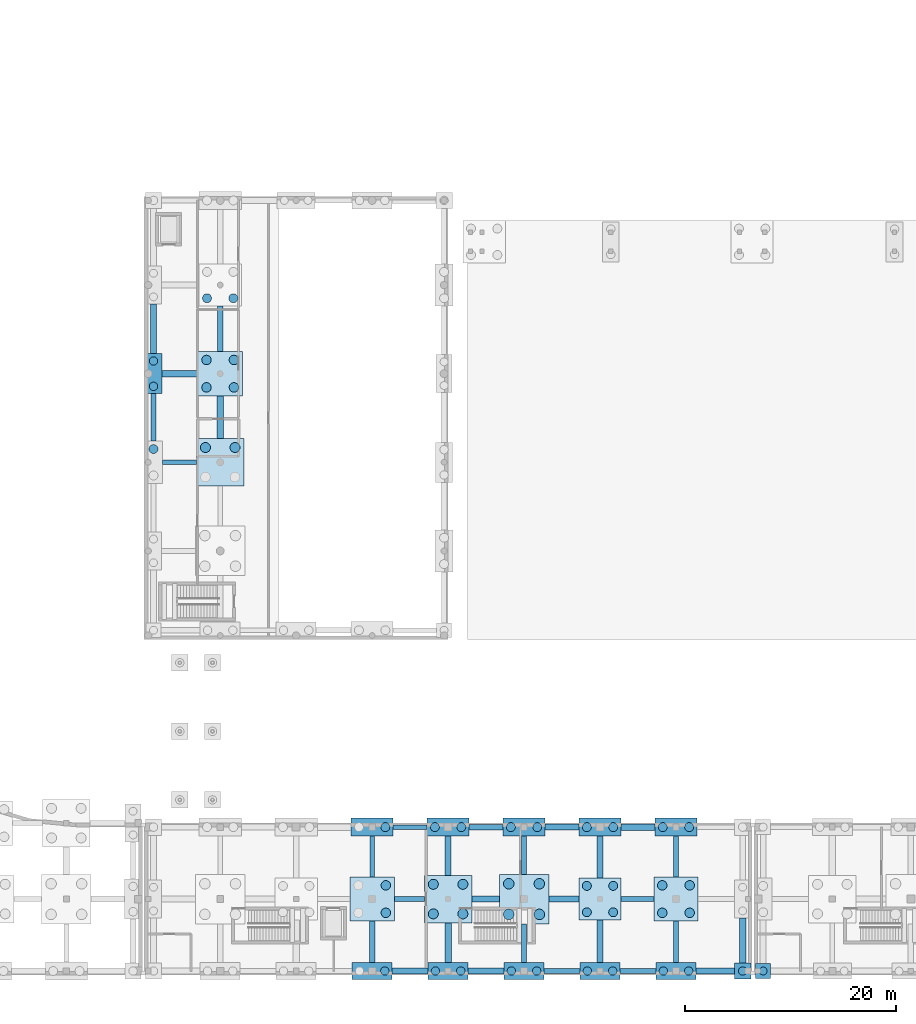
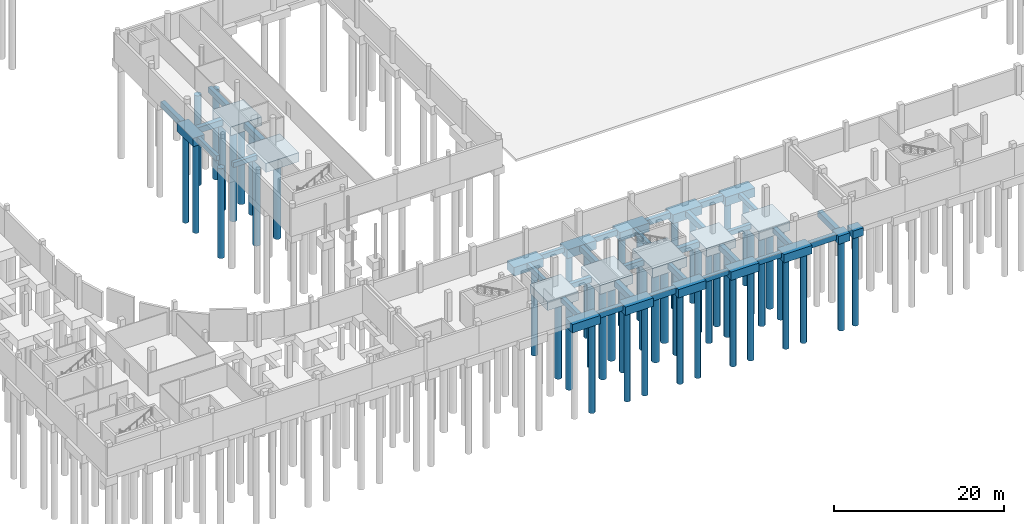
# One storey, part 4 of 41: 50 footings, 49 piles.
"""IFC4 building model written with IfcOpenShell, lengths in metres."""

import ifcopenshell
import ifcopenshell.guid

model = None  # the IFC model being written
_history = None  # IfcOwnerHistory: only IFC2X3 demands one
_inside = {}  # id of a spatial element -> (the spatial element, [elements in it])
_under = {}  # id of a project, library or spatial element -> (it, [spatial elements below it])
_declared = {}  # id of a project -> (the project, [libraries it declares])
_typed = {}  # id of a type object -> (the type object, [elements of that type])
_made_of = {}  # id of a material, layer set ... -> (it, [elements and type objects made of it])


def new_model(schema):
    """Start an empty IFC model of exactly this schema.

    Asked for "IFC4X3", IfcOpenShell would pick the latest addendum, in which some entities
    have other attributes; the version numbers below select the first issue.
    IFC2X3 requires an IfcOwnerHistory on every rooted entity: one is made here for all.
    """
    global model, _history
    if schema == "IFC4X3":
        model = ifcopenshell.file(schema_version=(4, 3, 0, 0))
    else:
        model = ifcopenshell.file(schema=schema)
    _inside.clear()
    _under.clear()
    _declared.clear()
    _typed.clear()
    _made_of.clear()
    _history = None
    if model.schema == "IFC2X3":
        org = make("IfcOrganization", Name="unknown")
        user = make(
            "IfcPersonAndOrganization",
            ThePerson=make("IfcPerson", FamilyName="unknown"),
            TheOrganization=org,
        )
        app = make(
            "IfcApplication",
            ApplicationDeveloper=org,
            Version="unknown",
            ApplicationFullName="unknown",
            ApplicationIdentifier="unknown",
        )
        _history = make(
            "IfcOwnerHistory",
            OwningUser=user,
            OwningApplication=app,
            ChangeAction="ADDED",
            CreationDate=0,
        )
    return model


def make(cls, **values):
    """One entity of the class cls with the attributes given. An attribute that is None is left unset."""
    return model.create_entity(
        cls, **{name: value for name, value in values.items() if value is not None}
    )


def rooted(cls, **values):
    """An entity with a GlobalId (a new one), such as an element, a storey or a relation."""
    return make(cls, GlobalId=ifcopenshell.guid.new(), OwnerHistory=_history, **values)


def si_unit(unit_type, name, prefix=None):
    """IfcSIUnit, for example si_unit("LENGTHUNIT", "METRE", prefix="MILLI")."""
    return make("IfcSIUnit", UnitType=unit_type, Prefix=prefix, Name=name)


def assignment(units):
    """IfcUnitAssignment: the units of a project."""
    return None if units is None else make("IfcUnitAssignment", Units=units)


def point(xyz):
    """IfcCartesianPoint."""
    return None if xyz is None else make("IfcCartesianPoint", Coordinates=xyz)


def direction(xyz):
    """IfcDirection."""
    return None if xyz is None else make("IfcDirection", DirectionRatios=xyz)


def frame(location, z_axis=None, x_axis=None):
    """IfcAxis2Placement3D, a coordinate frame: its origin and axes. An axis left out is left unset."""
    return make(
        "IfcAxis2Placement3D",
        Location=point(location),
        Axis=direction(z_axis),
        RefDirection=direction(x_axis),
    )


def frame_2d(location, x_axis=None):
    """IfcAxis2Placement2D, a coordinate frame in the plane: its origin and x axis."""
    return make(
        "IfcAxis2Placement2D", Location=point(location), RefDirection=direction(x_axis)
    )


def origin():
    """The frame at (0, 0, 0) with its axes left unset."""
    return frame((0.0, 0.0, 0.0))


def origin_2d():
    """The frame at (0, 0) in the plane with its x axis left unset."""
    return frame_2d((0.0, 0.0))


def place(relative_to, where):
    """IfcLocalPlacement: puts the frame where relative to a parent placement (None: the world)."""
    return make(
        "IfcLocalPlacement", PlacementRelTo=relative_to, RelativePlacement=where
    )


def context(
    kind, dimensions, precision=None, world=None, true_north=None, identifier=None
):
    """IfcGeometricRepresentationContext, for example the 3D "Model" context."""
    return make(
        "IfcGeometricRepresentationContext",
        ContextIdentifier=identifier,
        ContextType=kind,
        CoordinateSpaceDimension=dimensions,
        Precision=precision,
        WorldCoordinateSystem=world,
        TrueNorth=true_north,
    )


def subcontext(parent, identifier, kind, view, scale=None):
    """IfcGeometricRepresentationSubContext, for example "Body" below "Model"."""
    return make(
        "IfcGeometricRepresentationSubContext",
        ContextIdentifier=identifier,
        ContextType=kind,
        ParentContext=parent,
        TargetScale=scale,
        TargetView=view,
    )


def project(units=None, contexts=None):
    """IfcProject with its units and contexts."""
    return rooted(
        "IfcProject",
        Name="project",
        RepresentationContexts=contexts,
        UnitsInContext=assignment(units),
    )


def spatial(cls, under=None, at=None, **own):
    """A site, building, storey or space (cls), placed at a placement, below another one or the project."""
    s = rooted(cls, ObjectPlacement=at, **own)
    if under is not None:
        _under.setdefault(under.id(), (under, []))[1].append(s)
    return s


def profile(cls, at=None, kind="AREA", **sizes):
    """A parametric profile (cls). Its sizes go by their IFC names, for example OverallWidth=200.0."""
    return make(cls, ProfileType=kind, Position=at, **sizes)


def rectangle(**sizes):
    """IfcRectangleProfileDef."""
    return profile("IfcRectangleProfileDef", **sizes)


def circle(**sizes):
    """IfcCircleProfileDef."""
    return profile("IfcCircleProfileDef", **sizes)


def extrude(swept, where, along, depth):
    """IfcExtrudedAreaSolid: the profile swept, set in the frame where, extruded along a direction by depth."""
    return make(
        "IfcExtrudedAreaSolid",
        SweptArea=swept,
        Position=where,
        ExtrudedDirection=direction(along),
        Depth=depth,
    )


def shape(context_of_items, identifier, shape_type, items):
    """IfcShapeRepresentation: the items that make up one representation, for example the "Body"."""
    return make(
        "IfcShapeRepresentation",
        ContextOfItems=context_of_items,
        RepresentationIdentifier=identifier,
        RepresentationType=shape_type,
        Items=items,
    )


def material(Name=None, Category=None):
    """IfcMaterial."""
    return make("IfcMaterial", Name=Name, Category=Category)


def material_profile(
    of_material, cross_section, Name=None, Category=None, Priority=None
):
    """IfcMaterialProfile: a cross section and its material."""
    return make(
        "IfcMaterialProfile",
        Name=Name,
        Material=of_material,
        Profile=cross_section,
        Priority=Priority,
        Category=Category,
    )


def profile_set(profiles, Name=None, composite=None):
    """IfcMaterialProfileSet."""
    return make(
        "IfcMaterialProfileSet",
        Name=Name,
        MaterialProfiles=profiles,
        CompositeProfile=composite,
    )


def made_of(thing, what):
    """Note that an element or type object is made of a material, layer set ...; save() writes the relation."""
    if what is not None:
        _made_of.setdefault(what.id(), (what, []))[1].append(thing)
    return thing


def type_object(cls, material=None, **own):
    """A type object (cls), such as IfcWallType, which elements share."""
    return made_of(rooted(cls, **own), material)


def element(
    cls,
    number,
    at=None,
    inside=None,
    cuts=None,
    type_object=None,
    material=None,
    context=None,
    identifier="Body",
    shape_type=None,
    held_by="IfcProductDefinitionShape",
    body=None,
    shapes=None,
    **own,
):
    """One element of the class cls, such as IfcWall. Its Tag is "e" and its number.

    at: its placement. inside: the storey or other place that contains it. cuts: it is an
    opening in that element (IfcRelVoidsElement). A single representation is given by context,
    identifier, shape_type and body (its items); several are given by shapes. held_by: the class
    of the entity that holds the representations. save() writes the other relations.
    """
    e = rooted(cls, Tag="e%d" % number, ObjectPlacement=at, **own)
    if body is not None:
        shapes = [shape(context, identifier, shape_type, body)]
    if shapes is not None:
        e.Representation = make(held_by, Representations=shapes)
    if inside is not None:
        _inside.setdefault(inside.id(), (inside, []))[1].append(e)
    if cuts is not None:
        rooted(
            "IfcRelVoidsElement", RelatingBuildingElement=cuts, RelatedOpeningElement=e
        )
    if type_object is not None:
        _typed.setdefault(type_object.id(), (type_object, []))[1].append(e)
    return made_of(e, material)


def aggregate(whole, parts):
    """IfcRelAggregates: a whole, such as a stair, and the parts it consists of."""
    return rooted("IfcRelAggregates", RelatingObject=whole, RelatedObjects=parts)


def save(model, path):
    """Write the relations noted so far, then the file.

    IfcRelAggregates (storeys below a building ...), IfcRelContainedInSpatialStructure (elements
    in a storey), IfcRelDefinesByType, IfcRelAssociatesMaterial and IfcRelDeclares: one each for
    every whole, place, type object, material and project.
    """
    for whole, parts in _under.values():
        aggregate(whole, parts)
    for where, things in _inside.values():
        rooted(
            "IfcRelContainedInSpatialStructure",
            RelatedElements=things,
            RelatingStructure=where,
        )
    for kind, things in _typed.values():
        rooted("IfcRelDefinesByType", RelatedObjects=things, RelatingType=kind)
    for what, things in _made_of.values():
        rooted("IfcRelAssociatesMaterial", RelatedObjects=things, RelatingMaterial=what)
    for by, libraries in _declared.values():
        rooted("IfcRelDeclares", RelatingContext=by, RelatedDefinitions=libraries)
    model.write(path)


model = new_model("IFC4")

# Units and contexts
model_context = context("Model", 3, precision=1e-05, world=origin(), true_north=direction((0.0, 1.0)))
body_context = subcontext(model_context, "Body", "Model", "MODEL_VIEW")
ifc_project = project(units=[si_unit("LENGTHUNIT", "METRE"), si_unit("AREAUNIT", "SQUARE_METRE"), si_unit("VOLUMEUNIT", "CUBIC_METRE"), si_unit("PLANEANGLEUNIT", "RADIAN"), si_unit("MASSUNIT", "GRAM", prefix="KILO")], contexts=[model_context])

# Site, building, storey
site_placement = place(None, origin())
site = spatial("IfcSite", under=ifc_project, at=site_placement, CompositionType="ELEMENT")
building_placement = place(site_placement, origin())
building = spatial("IfcBuilding", under=site, at=building_placement, Name="Vardoun Plaza Health Centre", CompositionType="ELEMENT")
storey_placement = place(building_placement, frame((0.0, 0.0, -4.5)))
storey = spatial("IfcBuildingStorey", under=building, at=storey_placement, Name="B1", CompositionType="ELEMENT", Elevation=-4.5)

# Footings
ifc_material_1 = material(Name="Concrete C40/50", Category="concrete")
footing_type_1 = type_object("IfcFootingType", Name="PC-01", PredefinedType="PILE_CAP", material=ifc_material_1)
footing_1_placement = place(storey_placement, frame((106.5400390625, 4.8798828125, -1.52001953125), z_axis=(0.0, 0.0, 1.0), x_axis=(1.0, 0.0, 0.0)))
element("IfcFooting", 1, at=footing_1_placement, inside=storey, type_object=footing_type_1, Name="V5 Pile Cap PC-V5-01", PredefinedType="PILE_CAP", context=body_context, shape_type="SweptSolid", body=[
    extrude(rectangle(XDim=1.39990234375, YDim=1.39990234375, at=origin_2d()), origin(), (0.0, 0.0, 1.0), 1.10009765625),
])
ifc_material_2 = material(Name="Concrete C40/50", Category="concrete")
footing_type_2 = type_object("IfcFootingType", Name="PC-02", PredefinedType="PILE_CAP", material=ifc_material_2)
footing_2_placement = place(storey_placement, frame((104.60009765625, 4.8798828125, -1.570068359375), z_axis=(0.0, 0.0, 1.0), x_axis=(1.0, 0.0, 0.0)))
element("IfcFooting", 2, at=footing_2_placement, inside=storey, type_object=footing_type_2, Name="V4 Pile Cap PC-V4-25", PredefinedType="PILE_CAP", context=body_context, shape_type="SweptSolid", body=[
    extrude(rectangle(XDim=1.550048828125, YDim=1.550048828125, at=origin_2d()), origin(), (0.0, 0.0, 1.0), 1.14990234375),
])
ifc_material_3 = material(Name="Concrete C40/50", Category="concrete")
footing_type_3 = type_object("IfcFootingType", Name="PC-04", PredefinedType="PILE_CAP", material=ifc_material_3)
for number, where, z_axis, x_axis, name in (
    (3, (48.760009765625, 61.5, -1.6201171875), (0.0, 0.0, 1.0), (0.0, 1.0, 0.0), "V1 Pile Cap PC-V1-04"),
    (4, (69.47998046875, 4.8798828125, -1.6201171875), (0.0, 0.0, 1.0), (1.0, 0.0, 0.0), "V4 Pile Cap PC-V4-10"),
    (5, (76.679931640625, 4.8798828125, -1.6201171875), (0.0, 0.0, 1.0), (1.0, 0.0, 0.0), "V4 Pile Cap PC-V4-13"),
    (6, (83.8798828125, 4.8798828125, -1.6201171875), (0.0, 0.0, 1.0), (1.0, 0.0, 0.0), "V4 Pile Cap PC-V4-16"),
    (7, (91.080078125, 4.8798828125, -1.6201171875), (0.0, 0.0, 1.0), (1.0, 0.0, 0.0), "V4 Pile Cap PC-V4-19"),
    (8, (98.280029296875, 4.8798828125, -1.6201171875), (0.0, 0.0, 1.0), (1.0, 0.0, 0.0), "V4 Pile Cap PC-V4-22"),
):
    element("IfcFooting", number, at=place(storey_placement, frame(where, z_axis=z_axis, x_axis=x_axis)), inside=storey, type_object=footing_type_3, Name=name, PredefinedType="PILE_CAP", context=body_context, shape_type="SweptSolid", body=[
        extrude(rectangle(XDim=3.800048828125, YDim=1.60009765625, at=origin_2d()), origin(), (0.0, 0.0, 1.0), 1.199951171875),
    ])
ifc_material_4 = material(Name="Concrete C40/50", Category="concrete")
footing_type_4 = type_object("IfcFootingType", Name="PC-05", PredefinedType="PILE_CAP", material=ifc_material_4)
for number, where, z_axis, x_axis, name in (
    (9, (69.47998046875, 18.52001953125, -1.669921875), (0.0, 0.0, 1.0), (1.0, 0.0, 0.0), "V4 Pile Cap PC-V4-12"),
    (10, (76.679931640625, 18.52001953125, -1.669921875), (0.0, 0.0, 1.0), (1.0, 0.0, 0.0), "V4 Pile Cap PC-V4-15"),
    (11, (83.8798828125, 18.52001953125, -1.669921875), (0.0, 0.0, 1.0), (1.0, 0.0, 0.0), "V4 Pile Cap PC-V4-18"),
    (12, (91.080078125, 18.52001953125, -1.669921875), (0.0, 0.0, 1.0), (1.0, 0.0, 0.0), "V4 Pile Cap PC-V4-21"),
    (13, (98.280029296875, 18.52001953125, -1.669921875), (0.0, 0.0, 1.0), (1.0, 0.0, 0.0), "V4 Pile Cap PC-V4-24"),
):
    element("IfcFooting", number, at=place(storey_placement, frame(where, z_axis=z_axis, x_axis=x_axis)), inside=storey, type_object=footing_type_4, Name=name, PredefinedType="PILE_CAP", context=body_context, shape_type="SweptSolid", body=[
        extrude(rectangle(XDim=4.0, YDim=1.699951171875, at=origin_2d()), origin(), (0.0, 0.0, 1.0), 1.25),
    ])
ifc_material_5 = material(Name="Concrete C40/50", Category="concrete")
footing_type_5 = type_object("IfcFootingType", Name="PC-06", PredefinedType="PILE_CAP", material=ifc_material_5)
footing_3_placement = place(storey_placement, frame((91.080078125, 11.699951171875, -1.6201171875), z_axis=(0.0, 0.0, 1.0), x_axis=(1.0, 0.0, 0.0)))
element("IfcFooting", 14, at=footing_3_placement, inside=storey, type_object=footing_type_5, Name="V4 Pile Cap PC-V4-20", PredefinedType="PILE_CAP", context=body_context, shape_type="SweptSolid", body=[
    extrude(rectangle(XDim=4.0, YDim=4.0, at=origin_2d()), origin(), (0.0, 0.0, 1.0), 1.199951171875),
])
ifc_material_6 = material(Name="Concrete C40/50", Category="concrete")
footing_type_6 = type_object("IfcFootingType", Name="PC-07", PredefinedType="PILE_CAP", material=ifc_material_6)
for number, where, z_axis, x_axis, name in (
    (15, (55.080078125, 61.5, -1.669921875), (0.0, 0.0, 1.0), (1.0, 0.0, 0.0), "V1 Pile Cap PC-V1-10"),
    (16, (69.47998046875, 11.699951171875, -1.669921875), (0.0, 0.0, 1.0), (1.0, 0.0, 0.0), "V4 Pile Cap PC-V4-11"),
    (17, (98.280029296875, 11.699951171875, -1.669921875), (0.0, 0.0, 1.0), (1.0, 0.0, 0.0), "V4 Pile Cap PC-V4-23"),
):
    element("IfcFooting", number, at=place(storey_placement, frame(where, z_axis=z_axis, x_axis=x_axis)), inside=storey, type_object=footing_type_6, Name=name, PredefinedType="PILE_CAP", context=body_context, shape_type="SweptSolid", body=[
        extrude(rectangle(XDim=4.199951171875, YDim=4.199951171875, at=origin_2d()), origin(), (0.0, 0.0, 1.0), 1.25),
    ])
ifc_material_7 = material(Name="Concrete C40/50", Category="concrete")
footing_type_7 = type_object("IfcFootingType", Name="PC-08", PredefinedType="PILE_CAP", material=ifc_material_7)
for number, where, z_axis, x_axis, name in (
    (18, (55.080078125, 53.10009765625, -1.72021484375), (0.0, 0.0, 1.0), (1.0, 0.0, 0.0), "V1 Pile Cap PC-V1-09"),
    (19, (76.679931640625, 11.699951171875, -1.72021484375), (0.0, 0.0, 1.0), (1.0, 0.0, 0.0), "V4 Pile Cap PC-V4-14"),
):
    element("IfcFooting", number, at=place(storey_placement, frame(where, z_axis=z_axis, x_axis=x_axis)), inside=storey, type_object=footing_type_7, Name=name, PredefinedType="PILE_CAP", context=body_context, shape_type="SweptSolid", body=[
        extrude(rectangle(XDim=4.5, YDim=4.5, at=origin_2d()), origin(), (0.0, 0.0, 1.0), 1.300048828125),
    ])
ifc_material_8 = material(Name="Concrete C40/50", Category="concrete")
footing_type_8 = type_object("IfcFootingType", Name="PC-09", PredefinedType="PILE_CAP", material=ifc_material_8)
footing_4_placement = place(storey_placement, frame((83.8798828125, 11.699951171875, -1.77001953125), z_axis=(0.0, 0.0, 1.0), x_axis=(1.0, 0.0, 0.0)))
element("IfcFooting", 20, at=footing_4_placement, inside=storey, type_object=footing_type_8, Name="V4 Pile Cap PC-V4-17", PredefinedType="PILE_CAP", context=body_context, shape_type="SweptSolid", body=[
    extrude(rectangle(XDim=4.699951171875, YDim=4.699951171875, at=origin_2d()), origin(), (0.0, 0.0, 1.0), 1.35009765625),
])
ifc_material_9 = material(Name="Concrete C40/50", Category="concrete")
ifc_material_profile_1 = material_profile(ifc_material_9, rectangle(XDim=0.449951171875, YDim=0.699951171875, at=origin_2d()), Name="GB 450x700")
ifc_profile_set_1 = profile_set([ifc_material_profile_1], Name="Concrete C40/50")
footing_type_9 = type_object("IfcFootingType", Name="GB-01", PredefinedType="FOOTING_BEAM", material=ifc_profile_set_1)
footing_5_placement = place(storey_placement, frame((49.610107421875, 53.10009765625, -0.77001953125), z_axis=(1.0, 0.0, 0.0), x_axis=(0.0, 1.0, 0.0)))
element("IfcFooting", 21, at=footing_5_placement, inside=storey, type_object=footing_type_9, Name="V1 Ground Tie Beam 3", PredefinedType="FOOTING_BEAM", context=body_context, shape_type="SweptSolid", body=[
    extrude(rectangle(XDim=0.449951171875, YDim=0.699951171875, at=origin_2d()), origin(), (0.0, 0.0, 1.0), 3.219970703125),
])
footing_6_placement = place(storey_placement, frame((48.760009765625, 55.10009765625, -0.77001953125), z_axis=(0.0, 1.0, 0.0), x_axis=(-1.0, 0.0, 0.0)))
element("IfcFooting", 22, at=footing_6_placement, inside=storey, type_object=footing_type_9, Name="V1 Ground Tie Beam 15", PredefinedType="FOOTING_BEAM", context=body_context, shape_type="SweptSolid", body=[
    extrude(rectangle(XDim=0.449951171875, YDim=0.699951171875, at=origin_2d()), origin(), (0.0, 0.0, 1.0), 4.5),
])
footing_7_placement = place(storey_placement, frame((71.47998046875, 18.52001953125, -0.77001953125), z_axis=(1.0, 0.0, 0.0), x_axis=(0.0, 1.0, 0.0)))
element("IfcFooting", 23, at=footing_7_placement, inside=storey, type_object=footing_type_9, Name="V4 Ground Tie Beam 12", PredefinedType="FOOTING_BEAM", context=body_context, shape_type="SweptSolid", body=[
    extrude(rectangle(XDim=0.449951171875, YDim=0.699951171875, at=origin_2d()), origin(), (0.0, 0.0, 1.0), 3.199951171875),
])
footing_8_placement = place(storey_placement, frame((85.780029296875, 4.8798828125, -0.77001953125), z_axis=(1.0, 0.0, 0.0), x_axis=(0.0, 1.0, 0.0)))
element("IfcFooting", 24, at=footing_8_placement, inside=storey, type_object=footing_type_9, Name="V4 Ground Tie Beam 16", PredefinedType="FOOTING_BEAM", context=body_context, shape_type="SweptSolid", body=[
    extrude(rectangle(XDim=0.449951171875, YDim=0.699951171875, at=origin_2d()), origin(), (0.0, 0.0, 1.0), 3.39990234375),
])
footing_9_placement = place(storey_placement, frame((93.080078125, 11.699951171875, -0.77001953125), z_axis=(1.0, 0.0, 0.0), x_axis=(0.0, 1.0, 0.0)))
element("IfcFooting", 25, at=footing_9_placement, inside=storey, type_object=footing_type_9, Name="V4 Ground Tie Beam 20", PredefinedType="FOOTING_BEAM", context=body_context, shape_type="SweptSolid", body=[
    extrude(rectangle(XDim=0.449951171875, YDim=0.699951171875, at=origin_2d()), origin(), (0.0, 0.0, 1.0), 3.099853515625),
])
footing_10_placement = place(storey_placement, frame((69.47998046875, 13.800048828125, -0.77001953125), z_axis=(0.0, 1.0, 0.0), x_axis=(-1.0, 0.0, 0.0)))
element("IfcFooting", 26, at=footing_10_placement, inside=storey, type_object=footing_type_9, Name="V4 Ground Tie Beam 32", PredefinedType="FOOTING_BEAM", context=body_context, shape_type="SweptSolid", body=[
    extrude(rectangle(XDim=0.449951171875, YDim=0.699951171875, at=origin_2d()), origin(), (0.0, 0.0, 1.0), 3.869873046875),
])
footing_11_placement = place(storey_placement, frame((83.8798828125, 14.050048828125, -0.77001953125), z_axis=(0.0, 1.0, 0.0), x_axis=(-1.0, 0.0, 0.0)))
element("IfcFooting", 27, at=footing_11_placement, inside=storey, type_object=footing_type_9, Name="V4 Ground Tie Beam 36", PredefinedType="FOOTING_BEAM", context=body_context, shape_type="SweptSolid", body=[
    extrude(rectangle(XDim=0.449951171875, YDim=0.699951171875, at=origin_2d()), origin(), (0.0, 0.0, 1.0), 3.619873046875),
])
footing_12_placement = place(storey_placement, frame((98.280029296875, 13.800048828125, -0.77001953125), z_axis=(0.0, 1.0, 0.0), x_axis=(-1.0, 0.0, 0.0)))
element("IfcFooting", 28, at=footing_12_placement, inside=storey, type_object=footing_type_9, Name="V4 Ground Tie Beam 40", PredefinedType="FOOTING_BEAM", context=body_context, shape_type="SweptSolid", body=[
    extrude(rectangle(XDim=0.449951171875, YDim=0.699951171875, at=origin_2d()), origin(), (0.0, 0.0, 1.0), 3.869873046875),
])
ifc_material_10 = material(Name="Concrete C40/50", Category="concrete")
ifc_material_profile_2 = material_profile(ifc_material_10, rectangle(XDim=0.5, YDim=0.75, at=origin_2d()), Name="GB 500x750")
ifc_profile_set_2 = profile_set([ifc_material_profile_2], Name="Concrete C40/50")
footing_type_10 = type_object("IfcFootingType", Name="GB-02", PredefinedType="FOOTING_BEAM", material=ifc_profile_set_2)
footing_13_placement = place(storey_placement, frame((71.580078125, 11.699951171875, -0.794921875), z_axis=(1.0, 0.0, 0.0), x_axis=(0.0, 1.0, 0.0)))
element("IfcFooting", 29, at=footing_13_placement, inside=storey, type_object=footing_type_10, Name="V4 Ground Tie Beam 11", PredefinedType="FOOTING_BEAM", context=body_context, shape_type="SweptSolid", body=[
    extrude(rectangle(XDim=0.5, YDim=0.75, at=origin_2d()), origin(), (0.0, 0.0, 1.0), 2.849853515625),
])
footing_14_placement = place(storey_placement, frame((78.679931640625, 18.52001953125, -0.794921875), z_axis=(1.0, 0.0, 0.0), x_axis=(0.0, 1.0, 0.0)))
element("IfcFooting", 30, at=footing_14_placement, inside=storey, type_object=footing_type_10, Name="V4 Ground Tie Beam 15", PredefinedType="FOOTING_BEAM", context=body_context, shape_type="SweptSolid", body=[
    extrude(rectangle(XDim=0.5, YDim=0.75, at=origin_2d()), origin(), (0.0, 0.0, 1.0), 3.199951171875),
])
footing_15_placement = place(storey_placement, frame((92.97998046875, 4.8798828125, -0.794921875), z_axis=(1.0, 0.0, 0.0), x_axis=(0.0, 1.0, 0.0)))
element("IfcFooting", 31, at=footing_15_placement, inside=storey, type_object=footing_type_10, Name="V4 Ground Tie Beam 19", PredefinedType="FOOTING_BEAM", context=body_context, shape_type="SweptSolid", body=[
    extrude(rectangle(XDim=0.5, YDim=0.75, at=origin_2d()), origin(), (0.0, 0.0, 1.0), 3.39990234375),
])
footing_16_placement = place(storey_placement, frame((69.47998046875, 5.679931640625, -0.794921875), z_axis=(0.0, 1.0, 0.0), x_axis=(-1.0, 0.0, 0.0)))
element("IfcFooting", 32, at=footing_16_placement, inside=storey, type_object=footing_type_10, Name="V4 Ground Tie Beam 31", PredefinedType="FOOTING_BEAM", context=body_context, shape_type="SweptSolid", body=[
    extrude(rectangle(XDim=0.5, YDim=0.75, at=origin_2d()), origin(), (0.0, 0.0, 1.0), 3.920166015625),
])
footing_17_placement = place(storey_placement, frame((83.8798828125, 5.679931640625, -0.794921875), z_axis=(0.0, 1.0, 0.0), x_axis=(-1.0, 0.0, 0.0)))
element("IfcFooting", 33, at=footing_17_placement, inside=storey, type_object=footing_type_10, Name="V4 Ground Tie Beam 35", PredefinedType="FOOTING_BEAM", context=body_context, shape_type="SweptSolid", body=[
    extrude(rectangle(XDim=0.5, YDim=0.75, at=origin_2d()), origin(), (0.0, 0.0, 1.0), 3.670166015625),
])
footing_18_placement = place(storey_placement, frame((98.280029296875, 5.679931640625, -0.794921875), z_axis=(0.0, 1.0, 0.0), x_axis=(-1.0, 0.0, 0.0)))
element("IfcFooting", 34, at=footing_18_placement, inside=storey, type_object=footing_type_10, Name="V4 Ground Tie Beam 39", PredefinedType="FOOTING_BEAM", context=body_context, shape_type="SweptSolid", body=[
    extrude(rectangle(XDim=0.5, YDim=0.75, at=origin_2d()), origin(), (0.0, 0.0, 1.0), 3.920166015625),
])
ifc_material_11 = material(Name="Concrete C40/50", Category="concrete")
ifc_material_profile_3 = material_profile(ifc_material_11, rectangle(XDim=0.550048828125, YDim=0.800048828125, at=origin_2d()), Name="GB 550x800")
ifc_profile_set_3 = profile_set([ifc_material_profile_3], Name="Concrete C40/50")
footing_type_11 = type_object("IfcFootingType", Name="GB-03", PredefinedType="FOOTING_BEAM", material=ifc_profile_set_3)
footing_19_placement = place(storey_placement, frame((55.080078125, 63.60009765625, -0.820068359375), z_axis=(0.0, 1.0, 0.0), x_axis=(-1.0, 0.0, 0.0)))
element("IfcFooting", 35, at=footing_19_placement, inside=storey, type_object=footing_type_11, Name="V1 Ground Tie Beam 21", PredefinedType="FOOTING_BEAM", context=body_context, shape_type="SweptSolid", body=[
    extrude(rectangle(XDim=0.550048828125, YDim=0.800048828125, at=origin_2d()), origin(), (0.0, 0.0, 1.0), 4.300048828125),
])
footing_20_placement = place(storey_placement, frame((71.3798828125, 4.8798828125, -0.820068359375), z_axis=(1.0, 0.0, 0.0), x_axis=(0.0, 1.0, 0.0)))
element("IfcFooting", 36, at=footing_20_placement, inside=storey, type_object=footing_type_11, Name="V4 Ground Tie Beam 10", PredefinedType="FOOTING_BEAM", context=body_context, shape_type="SweptSolid", body=[
    extrude(rectangle(XDim=0.550048828125, YDim=0.800048828125, at=origin_2d()), origin(), (0.0, 0.0, 1.0), 3.400146484375),
])
footing_21_placement = place(storey_placement, frame((78.929931640625, 11.699951171875, -0.820068359375), z_axis=(1.0, 0.0, 0.0), x_axis=(0.0, 1.0, 0.0)))
element("IfcFooting", 37, at=footing_21_placement, inside=storey, type_object=footing_type_11, Name="V4 Ground Tie Beam 14", PredefinedType="FOOTING_BEAM", context=body_context, shape_type="SweptSolid", body=[
    extrude(rectangle(XDim=0.550048828125, YDim=0.800048828125, at=origin_2d()), origin(), (0.0, 0.0, 1.0), 2.60009765625),
])
footing_22_placement = place(storey_placement, frame((85.8798828125, 18.52001953125, -0.820068359375), z_axis=(1.0, 0.0, 0.0), x_axis=(0.0, 1.0, 0.0)))
element("IfcFooting", 38, at=footing_22_placement, inside=storey, type_object=footing_type_11, Name="V4 Ground Tie Beam 18", PredefinedType="FOOTING_BEAM", context=body_context, shape_type="SweptSolid", body=[
    extrude(rectangle(XDim=0.550048828125, YDim=0.800048828125, at=origin_2d()), origin(), (0.0, 0.0, 1.0), 3.2001953125),
])
footing_23_placement = place(storey_placement, frame((100.179931640625, 4.8798828125, -0.820068359375), z_axis=(1.0, 0.0, 0.0), x_axis=(0.0, 1.0, 0.0)))
element("IfcFooting", 39, at=footing_23_placement, inside=storey, type_object=footing_type_11, Name="V4 Ground Tie Beam 22", PredefinedType="FOOTING_BEAM", context=body_context, shape_type="SweptSolid", body=[
    extrude(rectangle(XDim=0.550048828125, YDim=0.800048828125, at=origin_2d()), origin(), (0.0, 0.0, 1.0), 3.64501953125),
])
footing_24_placement = place(storey_placement, frame((76.679931640625, 13.949951171875, -0.820068359375), z_axis=(0.0, 1.0, 0.0), x_axis=(-1.0, 0.0, 0.0)))
element("IfcFooting", 40, at=footing_24_placement, inside=storey, type_object=footing_type_11, Name="V4 Ground Tie Beam 34", PredefinedType="FOOTING_BEAM", context=body_context, shape_type="SweptSolid", body=[
    extrude(rectangle(XDim=0.550048828125, YDim=0.800048828125, at=origin_2d()), origin(), (0.0, 0.0, 1.0), 3.719970703125),
])
footing_25_placement = place(storey_placement, frame((91.080078125, 13.699951171875, -0.820068359375), z_axis=(0.0, 1.0, 0.0), x_axis=(-1.0, 0.0, 0.0)))
element("IfcFooting", 41, at=footing_25_placement, inside=storey, type_object=footing_type_11, Name="V4 Ground Tie Beam 38", PredefinedType="FOOTING_BEAM", context=body_context, shape_type="SweptSolid", body=[
    extrude(rectangle(XDim=0.550048828125, YDim=0.800048828125, at=origin_2d()), origin(), (0.0, 0.0, 1.0), 3.969970703125),
])
ifc_material_12 = material(Name="Concrete C40/50", Category="concrete")
ifc_material_profile_4 = material_profile(ifc_material_12, rectangle(XDim=0.60009765625, YDim=0.85009765625, at=origin_2d()), Name="GB 600x850")
ifc_profile_set_4 = profile_set([ifc_material_profile_4], Name="Concrete C40/50")
footing_type_12 = type_object("IfcFootingType", Name="GB-04", PredefinedType="FOOTING_BEAM", material=ifc_profile_set_4)
footing_26_placement = place(storey_placement, frame((49.56005859375, 61.5, -0.844970703125), z_axis=(1.0, 0.0, 0.0), x_axis=(0.0, 1.0, 0.0)))
element("IfcFooting", 42, at=footing_26_placement, inside=storey, type_object=footing_type_12, Name="V1 Ground Tie Beam 4", PredefinedType="FOOTING_BEAM", context=body_context, shape_type="SweptSolid", body=[
    extrude(rectangle(XDim=0.60009765625, YDim=0.85009765625, at=origin_2d()), origin(), (0.0, 0.0, 1.0), 3.419921875),
])
footing_27_placement = place(storey_placement, frame((48.760009765625, 63.400146484375, -0.844970703125), z_axis=(0.0, 1.0, 0.0), x_axis=(-1.0, 0.0, 0.0)))
element("IfcFooting", 43, at=footing_27_placement, inside=storey, type_object=footing_type_12, Name="V1 Ground Tie Beam 16", PredefinedType="FOOTING_BEAM", context=body_context, shape_type="SweptSolid", body=[
    extrude(rectangle(XDim=0.60009765625, YDim=0.85009765625, at=origin_2d()), origin(), (0.0, 0.0, 1.0), 4.699951171875),
])
footing_28_placement = place(storey_placement, frame((55.080078125, 55.35009765625, -0.844970703125), z_axis=(0.0, 1.0, 0.0), x_axis=(-1.0, 0.0, 0.0)))
element("IfcFooting", 44, at=footing_28_placement, inside=storey, type_object=footing_type_12, Name="V1 Ground Tie Beam 20", PredefinedType="FOOTING_BEAM", context=body_context, shape_type="SweptSolid", body=[
    extrude(rectangle(XDim=0.60009765625, YDim=0.85009765625, at=origin_2d()), origin(), (0.0, 0.0, 1.0), 4.050048828125),
])
footing_29_placement = place(storey_placement, frame((78.580078125, 4.8798828125, -0.844970703125), z_axis=(1.0, 0.0, 0.0), x_axis=(0.0, 1.0, 0.0)))
element("IfcFooting", 45, at=footing_29_placement, inside=storey, type_object=footing_type_12, Name="V4 Ground Tie Beam 13", PredefinedType="FOOTING_BEAM", context=body_context, shape_type="SweptSolid", body=[
    extrude(rectangle(XDim=0.60009765625, YDim=0.85009765625, at=origin_2d()), origin(), (0.0, 0.0, 1.0), 3.39990234375),
])
footing_30_placement = place(storey_placement, frame((86.22998046875, 11.699951171875, -0.844970703125), z_axis=(1.0, 0.0, 0.0), x_axis=(0.0, 1.0, 0.0)))
element("IfcFooting", 46, at=footing_30_placement, inside=storey, type_object=footing_type_12, Name="V4 Ground Tie Beam 17", PredefinedType="FOOTING_BEAM", context=body_context, shape_type="SweptSolid", body=[
    extrude(rectangle(XDim=0.60009765625, YDim=0.85009765625, at=origin_2d()), origin(), (0.0, 0.0, 1.0), 2.85009765625),
])
footing_31_placement = place(storey_placement, frame((93.080078125, 18.52001953125, -0.844970703125), z_axis=(1.0, 0.0, 0.0), x_axis=(0.0, 1.0, 0.0)))
element("IfcFooting", 47, at=footing_31_placement, inside=storey, type_object=footing_type_12, Name="V4 Ground Tie Beam 21", PredefinedType="FOOTING_BEAM", context=body_context, shape_type="SweptSolid", body=[
    extrude(rectangle(XDim=0.60009765625, YDim=0.85009765625, at=origin_2d()), origin(), (0.0, 0.0, 1.0), 3.199951171875),
])
footing_32_placement = place(storey_placement, frame((76.679931640625, 5.679931640625, -0.844970703125), z_axis=(0.0, 1.0, 0.0), x_axis=(-1.0, 0.0, 0.0)))
element("IfcFooting", 48, at=footing_32_placement, inside=storey, type_object=footing_type_12, Name="V4 Ground Tie Beam 33", PredefinedType="FOOTING_BEAM", context=body_context, shape_type="SweptSolid", body=[
    extrude(rectangle(XDim=0.60009765625, YDim=0.85009765625, at=origin_2d()), origin(), (0.0, 0.0, 1.0), 3.77001953125),
])
footing_33_placement = place(storey_placement, frame((91.080078125, 5.679931640625, -0.844970703125), z_axis=(0.0, 1.0, 0.0), x_axis=(-1.0, 0.0, 0.0)))
element("IfcFooting", 49, at=footing_33_placement, inside=storey, type_object=footing_type_12, Name="V4 Ground Tie Beam 37", PredefinedType="FOOTING_BEAM", context=body_context, shape_type="SweptSolid", body=[
    extrude(rectangle(XDim=0.60009765625, YDim=0.85009765625, at=origin_2d()), origin(), (0.0, 0.0, 1.0), 4.02001953125),
])
footing_34_placement = place(storey_placement, frame((104.60009765625, 5.655029296875, -0.844970703125), z_axis=(0.0, 1.0, 0.0), x_axis=(-1.0, 0.0, 0.0)))
element("IfcFooting", 50, at=footing_34_placement, inside=storey, type_object=footing_type_12, Name="V4 Ground Tie Beam 41", PredefinedType="FOOTING_BEAM", context=body_context, shape_type="SweptSolid", body=[
    extrude(rectangle(XDim=0.60009765625, YDim=0.85009765625, at=origin_2d()), origin(), (0.0, 0.0, 1.0), 4.244873046875),
])

# Piles
ifc_material_13 = material(Name="Concrete C40/50", Category="concrete")
ifc_material_profile_5 = material_profile(ifc_material_13, circle(Radius=0.5, at=origin_2d()), Name="PILE D1000")
ifc_profile_set_5 = profile_set([ifc_material_profile_5], Name="Concrete C40/50")
pile_type_1 = type_object("IfcPileType", Name="PL-06", PredefinedType="BORED", material=ifc_profile_set_5)
for number, where, z_axis, x_axis, name in (
    (51, (82.429931640625, 10.25, -1.669921875), (0.0, 0.0, -1.0), (1.0, 0.0, 0.0), "V4 Bored Pile PL-V4-17A"),
    (52, (85.330078125, 10.25, -1.669921875), (0.0, 0.0, -1.0), (1.0, 0.0, 0.0), "V4 Bored Pile PL-V4-17B"),
    (53, (82.429931640625, 13.14990234375, -1.669921875), (0.0, 0.0, -1.0), (1.0, 0.0, 0.0), "V4 Bored Pile PL-V4-17C"),
    (54, (85.330078125, 13.14990234375, -1.669921875), (0.0, 0.0, -1.0), (1.0, 0.0, 0.0), "V4 Bored Pile PL-V4-17D"),
):
    element("IfcPile", number, at=place(storey_placement, frame(where, z_axis=z_axis, x_axis=x_axis)), inside=storey, type_object=pile_type_1, Name=name, PredefinedType="BORED", context=body_context, shape_type="SweptSolid", body=[
        extrude(circle(Radius=0.5, at=origin_2d()), origin(), (0.0, 0.0, 1.0), 12.830078125),
    ])
ifc_material_14 = material(Name="Concrete C40/50", Category="concrete")
ifc_material_profile_6 = material_profile(ifc_material_14, circle(Radius=0.375, at=origin_2d()), Name="PILE D750")
ifc_profile_set_6 = profile_set([ifc_material_profile_6], Name="Concrete C40/50")
pile_type_2 = type_object("IfcPileType", Name="PL-01", PredefinedType="BORED", material=ifc_profile_set_6)
pile_1_placement = place(storey_placement, frame((106.5400390625, 4.8798828125, -1.419921875), z_axis=(0.0, 0.0, -1.0), x_axis=(1.0, 0.0, 0.0)))
element("IfcPile", 55, at=pile_1_placement, inside=storey, type_object=pile_type_2, Name="V5 Bored Pile PL-V5-01A", PredefinedType="BORED", context=body_context, shape_type="SweptSolid", body=[
    extrude(circle(Radius=0.375, at=origin_2d()), origin(), (0.0, 0.0, 1.0), 13.080078125),
])
ifc_material_15 = material(Name="Concrete C40/50", Category="concrete")
ifc_material_profile_7 = material_profile(ifc_material_15, circle(Radius=0.39990234375, at=origin_2d()), Name="PILE D800")
ifc_profile_set_7 = profile_set([ifc_material_profile_7], Name="Concrete C40/50")
pile_type_3 = type_object("IfcPileType", Name="PL-02", PredefinedType="BORED", material=ifc_profile_set_7)
for number, where, z_axis, x_axis, name in (
    (56, (48.760009765625, 60.300048828125, -1.52001953125), (0.0, 0.0, -1.0), (1.0, 0.0, 0.0), "V1 Bored Pile PL-V1-04A"),
    (57, (48.760009765625, 62.699951171875, -1.52001953125), (0.0, 0.0, -1.0), (1.0, 0.0, 0.0), "V1 Bored Pile PL-V1-04B"),
    (58, (70.679931640625, 4.8798828125, -1.52001953125), (0.0, 0.0, -1.0), (1.0, 0.0, 0.0), "V4 Bored Pile PL-V4-10B"),
    (59, (75.47998046875, 4.8798828125, -1.52001953125), (0.0, 0.0, -1.0), (1.0, 0.0, 0.0), "V4 Bored Pile PL-V4-13A"),
    (60, (77.8798828125, 4.8798828125, -1.52001953125), (0.0, 0.0, -1.0), (1.0, 0.0, 0.0), "V4 Bored Pile PL-V4-13B"),
    (61, (82.679931640625, 4.8798828125, -1.52001953125), (0.0, 0.0, -1.0), (1.0, 0.0, 0.0), "V4 Bored Pile PL-V4-16A"),
    (62, (85.080078125, 4.8798828125, -1.52001953125), (0.0, 0.0, -1.0), (1.0, 0.0, 0.0), "V4 Bored Pile PL-V4-16B"),
    (63, (89.8798828125, 4.8798828125, -1.52001953125), (0.0, 0.0, -1.0), (1.0, 0.0, 0.0), "V4 Bored Pile PL-V4-19A"),
    (64, (92.280029296875, 4.8798828125, -1.52001953125), (0.0, 0.0, -1.0), (1.0, 0.0, 0.0), "V4 Bored Pile PL-V4-19B"),
    (65, (97.080078125, 4.8798828125, -1.52001953125), (0.0, 0.0, -1.0), (1.0, 0.0, 0.0), "V4 Bored Pile PL-V4-22A"),
    (66, (99.47998046875, 4.8798828125, -1.52001953125), (0.0, 0.0, -1.0), (1.0, 0.0, 0.0), "V4 Bored Pile PL-V4-22B"),
):
    element("IfcPile", number, at=place(storey_placement, frame(where, z_axis=z_axis, x_axis=x_axis)), inside=storey, type_object=pile_type_3, Name=name, PredefinedType="BORED", context=body_context, shape_type="SweptSolid", body=[
        extrude(circle(Radius=0.39990234375, at=origin_2d()), origin(), (0.0, 0.0, 1.0), 12.97998046875),
    ])
pile_2_placement = place(storey_placement, frame((104.60009765625, 4.8798828125, -1.469970703125), z_axis=(0.0, 0.0, -1.0), x_axis=(1.0, 0.0, 0.0)))
element("IfcPile", 67, at=pile_2_placement, inside=storey, type_object=pile_type_3, Name="V4 Bored Pile PL-V4-25A", PredefinedType="BORED", context=body_context, shape_type="SweptSolid", body=[
    extrude(circle(Radius=0.39990234375, at=origin_2d()), origin(), (0.0, 0.0, 1.0), 13.030029296875),
])
ifc_material_16 = material(Name="Concrete C40/50", Category="concrete")
ifc_material_profile_8 = material_profile(ifc_material_16, circle(Radius=0.425048828125, at=origin_2d()), Name="PILE D850")
ifc_profile_set_8 = profile_set([ifc_material_profile_8], Name="Concrete C40/50")
pile_type_4 = type_object("IfcPileType", Name="PL-03", PredefinedType="BORED", material=ifc_profile_set_8)
pile_3_placement = place(storey_placement, frame((48.760009765625, 54.35009765625, -1.570068359375), z_axis=(0.0, 0.0, -1.0), x_axis=(1.0, 0.0, 0.0)))
element("IfcPile", 68, at=pile_3_placement, inside=storey, type_object=pile_type_4, Name="V1 Bored Pile PL-V1-03B", PredefinedType="BORED", context=body_context, shape_type="SweptSolid", body=[
    extrude(circle(Radius=0.425048828125, at=origin_2d()), origin(), (0.0, 0.0, 1.0), 12.929931640625),
])
for number, where, z_axis, x_axis, name in (
    (69, (53.830078125, 68.64990234375, -1.52001953125), (0.0, 0.0, -1.0), (1.0, 0.0, 0.0), "V1 Bored Pile PL-V1-11A"),
    (70, (56.330078125, 68.64990234375, -1.52001953125), (0.0, 0.0, -1.0), (1.0, 0.0, 0.0), "V1 Bored Pile PL-V1-11B"),
):
    element("IfcPile", number, at=place(storey_placement, frame(where, z_axis=z_axis, x_axis=x_axis)), inside=storey, type_object=pile_type_4, Name=name, PredefinedType="BORED", context=body_context, shape_type="SweptSolid", body=[
        extrude(circle(Radius=0.425048828125, at=origin_2d()), origin(), (0.0, 0.0, 1.0), 12.97998046875),
    ])
for number, where, z_axis, x_axis, name in (
    (71, (70.72998046875, 18.52001953125, -1.570068359375), (0.0, 0.0, -1.0), (1.0, 0.0, 0.0), "V4 Bored Pile PL-V4-12B"),
    (72, (75.429931640625, 18.52001953125, -1.570068359375), (0.0, 0.0, -1.0), (1.0, 0.0, 0.0), "V4 Bored Pile PL-V4-15A"),
    (73, (77.929931640625, 18.52001953125, -1.570068359375), (0.0, 0.0, -1.0), (1.0, 0.0, 0.0), "V4 Bored Pile PL-V4-15B"),
    (74, (82.6298828125, 18.52001953125, -1.570068359375), (0.0, 0.0, -1.0), (1.0, 0.0, 0.0), "V4 Bored Pile PL-V4-18A"),
    (75, (85.1298828125, 18.52001953125, -1.570068359375), (0.0, 0.0, -1.0), (1.0, 0.0, 0.0), "V4 Bored Pile PL-V4-18B"),
):
    element("IfcPile", number, at=place(storey_placement, frame(where, z_axis=z_axis, x_axis=x_axis)), inside=storey, type_object=pile_type_4, Name=name, PredefinedType="BORED", context=body_context, shape_type="SweptSolid", body=[
        extrude(circle(Radius=0.425048828125, at=origin_2d()), origin(), (0.0, 0.0, 1.0), 12.929931640625),
    ])
for number, where, z_axis, x_axis, name in (
    (76, (89.830078125, 10.449951171875, -1.52001953125), (0.0, 0.0, -1.0), (1.0, 0.0, 0.0), "V4 Bored Pile PL-V4-20A"),
    (77, (92.330078125, 10.449951171875, -1.52001953125), (0.0, 0.0, -1.0), (1.0, 0.0, 0.0), "V4 Bored Pile PL-V4-20B"),
    (78, (89.830078125, 12.949951171875, -1.52001953125), (0.0, 0.0, -1.0), (1.0, 0.0, 0.0), "V4 Bored Pile PL-V4-20C"),
    (79, (92.330078125, 12.949951171875, -1.52001953125), (0.0, 0.0, -1.0), (1.0, 0.0, 0.0), "V4 Bored Pile PL-V4-20D"),
):
    element("IfcPile", number, at=place(storey_placement, frame(where, z_axis=z_axis, x_axis=x_axis)), inside=storey, type_object=pile_type_4, Name=name, PredefinedType="BORED", context=body_context, shape_type="SweptSolid", body=[
        extrude(circle(Radius=0.425048828125, at=origin_2d()), origin(), (0.0, 0.0, 1.0), 12.97998046875),
    ])
for number, where, z_axis, x_axis, name in (
    (80, (89.830078125, 18.52001953125, -1.570068359375), (0.0, 0.0, -1.0), (1.0, 0.0, 0.0), "V4 Bored Pile PL-V4-21A"),
    (81, (92.330078125, 18.52001953125, -1.570068359375), (0.0, 0.0, -1.0), (1.0, 0.0, 0.0), "V4 Bored Pile PL-V4-21B"),
    (82, (97.030029296875, 18.52001953125, -1.570068359375), (0.0, 0.0, -1.0), (1.0, 0.0, 0.0), "V4 Bored Pile PL-V4-24A"),
    (83, (99.530029296875, 18.52001953125, -1.570068359375), (0.0, 0.0, -1.0), (1.0, 0.0, 0.0), "V4 Bored Pile PL-V4-24B"),
):
    element("IfcPile", number, at=place(storey_placement, frame(where, z_axis=z_axis, x_axis=x_axis)), inside=storey, type_object=pile_type_4, Name=name, PredefinedType="BORED", context=body_context, shape_type="SweptSolid", body=[
        extrude(circle(Radius=0.425048828125, at=origin_2d()), origin(), (0.0, 0.0, 1.0), 12.929931640625),
    ])
ifc_material_17 = material(Name="Concrete C40/50", Category="concrete")
ifc_material_profile_9 = material_profile(ifc_material_17, circle(Radius=0.449951171875, at=origin_2d()), Name="PILE D900")
ifc_profile_set_9 = profile_set([ifc_material_profile_9], Name="Concrete C40/50")
pile_type_5 = type_object("IfcPileType", Name="PL-04", PredefinedType="BORED", material=ifc_profile_set_9)
for number, where, z_axis, x_axis, name in (
    (84, (53.780029296875, 60.199951171875, -1.570068359375), (0.0, 0.0, -1.0), (1.0, 0.0, 0.0), "V1 Bored Pile PL-V1-10A"),
    (85, (56.3798828125, 60.199951171875, -1.570068359375), (0.0, 0.0, -1.0), (1.0, 0.0, 0.0), "V1 Bored Pile PL-V1-10B"),
    (86, (53.780029296875, 62.800048828125, -1.570068359375), (0.0, 0.0, -1.0), (1.0, 0.0, 0.0), "V1 Bored Pile PL-V1-10C"),
    (87, (56.3798828125, 62.800048828125, -1.570068359375), (0.0, 0.0, -1.0), (1.0, 0.0, 0.0), "V1 Bored Pile PL-V1-10D"),
    (88, (70.780029296875, 10.39990234375, -1.570068359375), (0.0, 0.0, -1.0), (1.0, 0.0, 0.0), "V4 Bored Pile PL-V4-11B"),
    (89, (70.780029296875, 13.0, -1.570068359375), (0.0, 0.0, -1.0), (1.0, 0.0, 0.0), "V4 Bored Pile PL-V4-11D"),
    (90, (96.97998046875, 10.39990234375, -1.570068359375), (0.0, 0.0, -1.0), (1.0, 0.0, 0.0), "V4 Bored Pile PL-V4-23A"),
    (91, (99.580078125, 10.39990234375, -1.570068359375), (0.0, 0.0, -1.0), (1.0, 0.0, 0.0), "V4 Bored Pile PL-V4-23B"),
    (92, (96.97998046875, 13.0, -1.570068359375), (0.0, 0.0, -1.0), (1.0, 0.0, 0.0), "V4 Bored Pile PL-V4-23C"),
    (93, (99.580078125, 13.0, -1.570068359375), (0.0, 0.0, -1.0), (1.0, 0.0, 0.0), "V4 Bored Pile PL-V4-23D"),
):
    element("IfcPile", number, at=place(storey_placement, frame(where, z_axis=z_axis, x_axis=x_axis)), inside=storey, type_object=pile_type_5, Name=name, PredefinedType="BORED", context=body_context, shape_type="SweptSolid", body=[
        extrude(circle(Radius=0.449951171875, at=origin_2d()), origin(), (0.0, 0.0, 1.0), 12.929931640625),
    ])
ifc_material_18 = material(Name="Concrete C40/50", Category="concrete")
ifc_material_profile_10 = material_profile(ifc_material_18, circle(Radius=0.47509765625, at=origin_2d()), Name="PILE D950")
ifc_profile_set_10 = profile_set([ifc_material_profile_10], Name="Concrete C40/50")
pile_type_6 = type_object("IfcPileType", Name="PL-05", PredefinedType="BORED", material=ifc_profile_set_10)
for number, where, z_axis, x_axis, name in (
    (94, (53.679931640625, 54.5, -1.6201171875), (0.0, 0.0, -1.0), (1.0, 0.0, 0.0), "V1 Bored Pile PL-V1-09C"),
    (95, (56.47998046875, 54.5, -1.6201171875), (0.0, 0.0, -1.0), (1.0, 0.0, 0.0), "V1 Bored Pile PL-V1-09D"),
    (96, (75.280029296875, 10.300048828125, -1.6201171875), (0.0, 0.0, -1.0), (1.0, 0.0, 0.0), "V4 Bored Pile PL-V4-14A"),
    (97, (78.080078125, 10.300048828125, -1.6201171875), (0.0, 0.0, -1.0), (1.0, 0.0, 0.0), "V4 Bored Pile PL-V4-14B"),
    (98, (75.280029296875, 13.10009765625, -1.6201171875), (0.0, 0.0, -1.0), (1.0, 0.0, 0.0), "V4 Bored Pile PL-V4-14C"),
    (99, (78.080078125, 13.10009765625, -1.6201171875), (0.0, 0.0, -1.0), (1.0, 0.0, 0.0), "V4 Bored Pile PL-V4-14D"),
):
    element("IfcPile", number, at=place(storey_placement, frame(where, z_axis=z_axis, x_axis=x_axis)), inside=storey, type_object=pile_type_6, Name=name, PredefinedType="BORED", context=body_context, shape_type="SweptSolid", body=[
        extrude(circle(Radius=0.47509765625, at=origin_2d()), origin(), (0.0, 0.0, 1.0), 12.8798828125),
    ])

save(model, "model.ifc")
